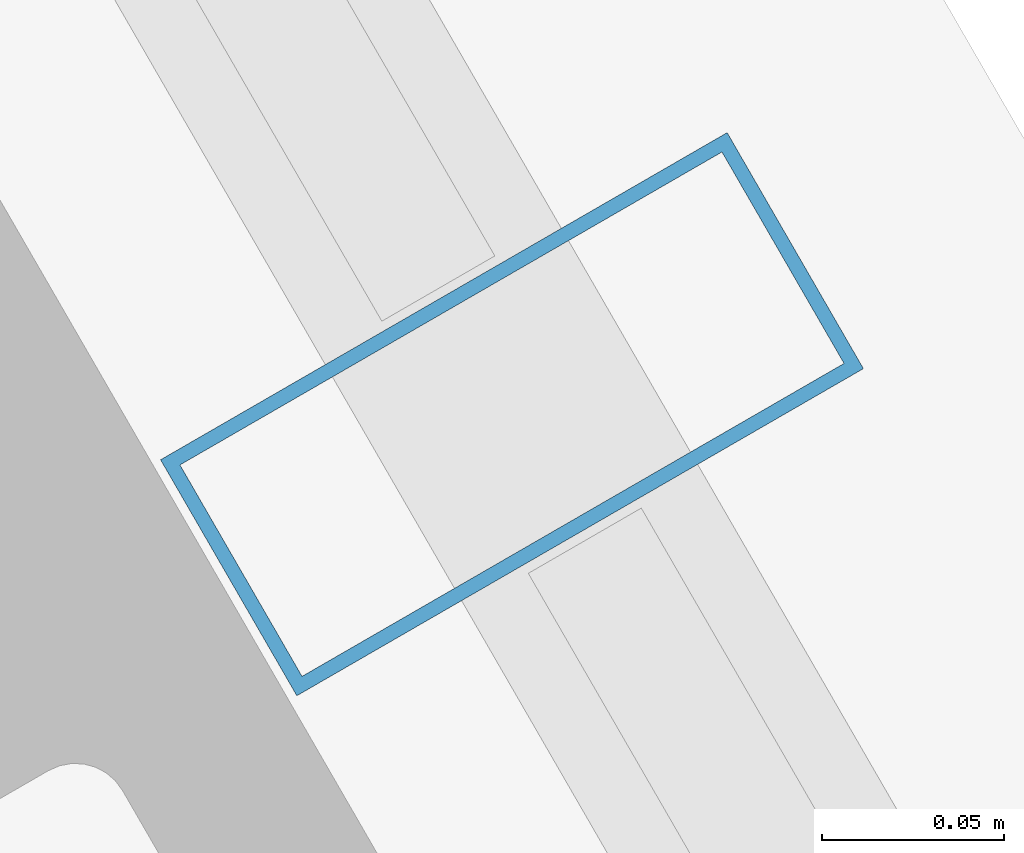
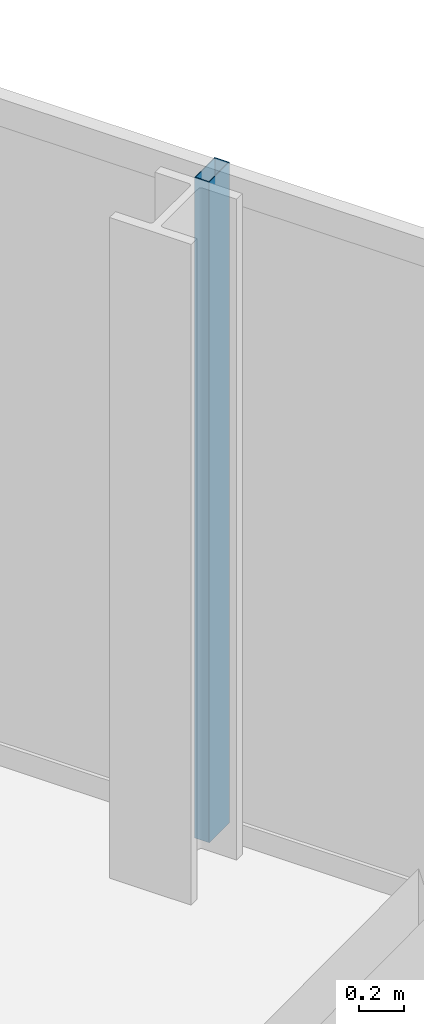
# One storey, part 18 of 33: 1 member, 1 element without a shape of its own.
"""IFC4 building model written with IfcOpenShell, lengths in metres."""

from ifc_helpers import new_model, si_unit, direction, frame, origin, origin_2d, place, context, subcontext, project, spatial, hollow_rectangle, extrude, material, layer, layer_set, material_profile, profile_set, type_object, element, aggregate, save


model = new_model("IFC4")

# Units and contexts
model_context = context("Model", 3, precision=1e-05, world=origin(), true_north=direction((0.0, 1.0)))
body_context = subcontext(model_context, "Body", "Model", "MODEL_VIEW")
ifc_project = project(units=[si_unit("LENGTHUNIT", "METRE"), si_unit("AREAUNIT", "SQUARE_METRE"), si_unit("VOLUMEUNIT", "CUBIC_METRE"), si_unit("PLANEANGLEUNIT", "RADIAN"), si_unit("MASSUNIT", "GRAM", prefix="KILO")], contexts=[model_context])

# Site, building, storey
site_placement = place(None, origin())
site = spatial("IfcSite", under=ifc_project, at=site_placement, CompositionType="ELEMENT")
building_placement = place(site_placement, origin())
building = spatial("IfcBuilding", under=site, at=building_placement, Name="Ndaravel Arena Tower", CompositionType="ELEMENT")
storey_placement = place(building_placement, frame((0.0, 0.0, 165.0)))
storey = spatial("IfcBuildingStorey", under=building, at=storey_placement, Name="L39", CompositionType="ELEMENT", Elevation=165.0)

# Curtain wall, member
ifc_material_1 = material(Name="Aluminium", Category="aluminium")
ifc_layer = layer(ifc_material_1, 0.179931640625)
ifc_layer_set = layer_set([ifc_layer], Name="Aluminium")
curtain_wall_type = type_object("IfcCurtainWallType", Name="CW-SYS-03", PredefinedType="NOTDEFINED", material=ifc_layer_set)
curtain_wall_placement = place(storey_placement, origin())
curtain_wall = element("IfcCurtainWall", 1, at=curtain_wall_placement, inside=storey, type_object=curtain_wall_type, Name="L39 Faceted Crystal Curtain Wall CW-L39-E03", PredefinedType="NOTDEFINED")
ifc_material_2 = material(Name="Aluminium", Category="aluminium")
ifc_material_profile = material_profile(ifc_material_2, hollow_rectangle(XDim=0.074951171875, YDim=0.179931640625, WallThickness=0.00390625, at=origin_2d()), Name="CW MULLION 75x180x4")
ifc_profile_set = profile_set([ifc_material_profile], Name="Aluminium")
member_type = type_object("IfcMemberType", Name="MEM-CW-MUL180", PredefinedType="MULLION", material=ifc_profile_set)
member_placement = place(storey_placement, frame((56.500244140625, 30.275146484375, 0.0), z_axis=(0.0, 0.0, 1.0), x_axis=(-0.5, 0.866025403784, 0.0)))
member = element("IfcMember", 2, at=member_placement, type_object=member_type, Name="CW-L39-E03 Mullion 04", PredefinedType="MULLION", context=body_context, shape_type="SweptSolid", body=[
    extrude(hollow_rectangle(XDim=0.074951171875, YDim=0.179931640625, WallThickness=0.00390625, at=origin_2d()), origin(), (0.0, 0.0, 1.0), 3.580078125),
])
aggregate(curtain_wall, [member])

save(model, "model.ifc")
